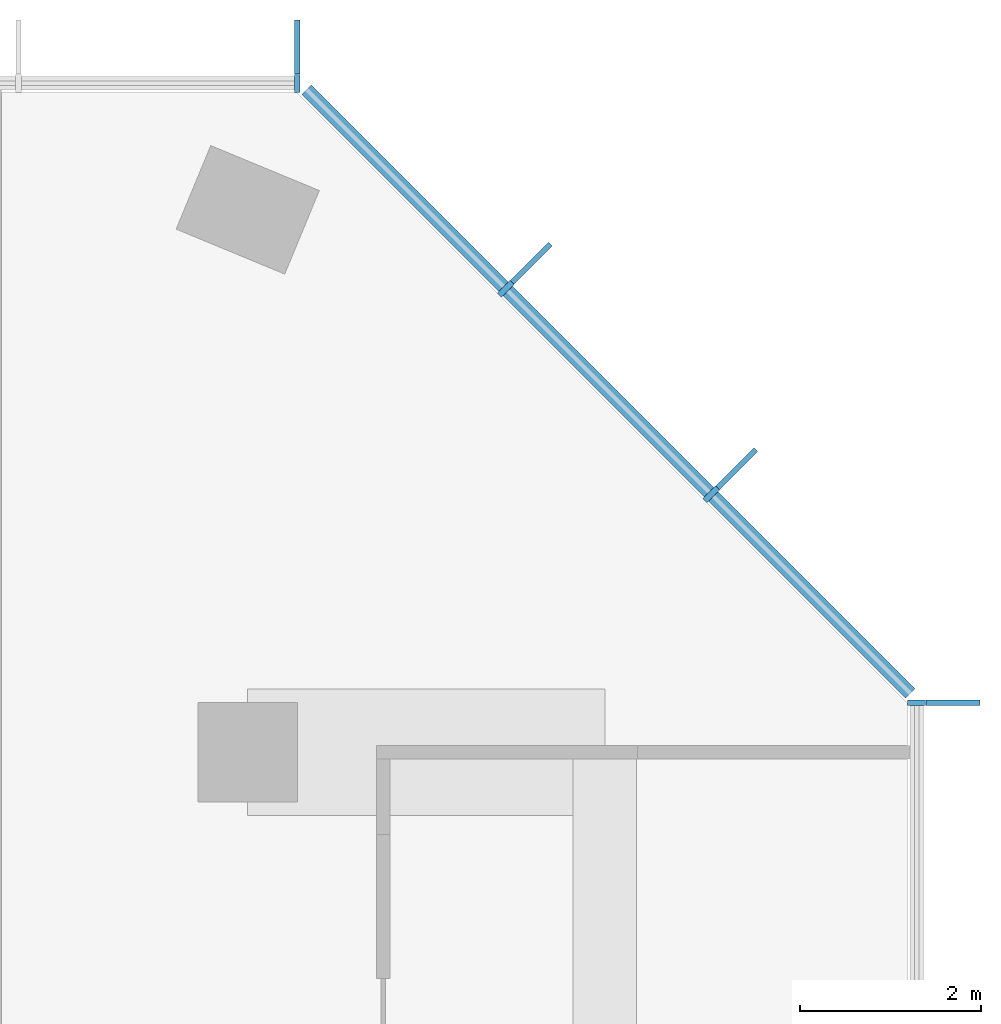
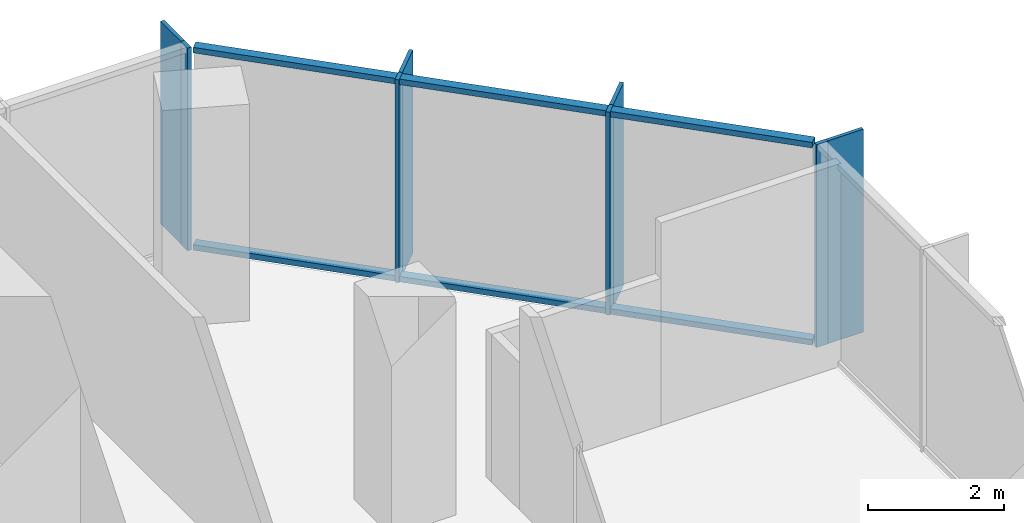
# One storey, part 6 of 11: 14 members, 3 elements without a shape of their own.
"""IFC4 building model written with IfcOpenShell, lengths in metres."""

from ifc_helpers import new_model, si_unit, direction, frame, origin, origin_2d, place, context, subcontext, project, spatial, rectangle, extrude, material, layer, layer_set, material_profile, profile_set, type_object, element, aggregate, save


model = new_model("IFC4")

# Units and contexts
model_context = context("Model", 3, precision=1e-05, world=origin(), true_north=direction((0.0, 1.0)))
body_context = subcontext(model_context, "Body", "Model", "MODEL_VIEW")
ifc_project = project(units=[si_unit("LENGTHUNIT", "METRE"), si_unit("AREAUNIT", "SQUARE_METRE"), si_unit("VOLUMEUNIT", "CUBIC_METRE"), si_unit("PLANEANGLEUNIT", "RADIAN"), si_unit("MASSUNIT", "GRAM", prefix="KILO")], contexts=[model_context])

# Site, building, storey
site_placement = place(None, origin())
site = spatial("IfcSite", under=ifc_project, at=site_placement, CompositionType="ELEMENT")
building_placement = place(site_placement, origin())
building = spatial("IfcBuilding", under=site, at=building_placement, Name="Highveld Stack Headquarters", CompositionType="ELEMENT")
storey_placement = place(building_placement, frame((0.0, 0.0, 291.800048828125)))
storey = spatial("IfcBuildingStorey", under=building, at=storey_placement, Name="L72", CompositionType="ELEMENT", Elevation=291.800048828125)

# Curtain wall, member
ifc_material_1 = material(Name="Aluminium bronze anodised", Category="aluminium")
ifc_layer = layer(ifc_material_1, 0.199951171875)
ifc_layer_set = layer_set([ifc_layer], Name="Aluminium bronze anodised")
curtain_wall_type = type_object("IfcCurtainWallType", Name="CW5 EXECUTIVE UNITISED CURTAIN WALL", PredefinedType="NOTDEFINED", material=ifc_layer_set)
curtain_wall_1_placement = place(storey_placement, origin())
curtain_wall_1 = element("IfcCurtainWall", 1, at=curtain_wall_1_placement, inside=storey, type_object=curtain_wall_type, Name="Curtain wall CW5 L72 E", PredefinedType="NOTDEFINED")
ifc_material_2 = material(Name="Aluminium bronze anodised", Category="aluminium")
ifc_material_profile_1 = material_profile(ifc_material_2, rectangle(XDim=0.60009765625, YDim=0.06005859375, at=origin_2d()), Name="FIN 600x60")
ifc_profile_set_1 = profile_set([ifc_material_profile_1], Name="Aluminium bronze anodised")
member_type_1 = type_object("IfcMemberType", Name="CW5 BRONZE FIN 600x60", PredefinedType="USERDEFINED", material=ifc_profile_set_1)
member_1_placement = place(storey_placement, frame((31.800048828125, 12.54736328125, 0.0), z_axis=(0.0, 0.0, 1.0), x_axis=(-1.0, 0.0, 0.0)))
member_1 = element("IfcMember", 2, at=member_1_placement, type_object=member_type_1, Name="CW5 fin L72 9", ObjectType="FIN", PredefinedType="USERDEFINED", context=body_context, shape_type="SweptSolid", body=[
    extrude(rectangle(XDim=0.60009765625, YDim=0.06005859375, at=origin_2d()), origin(), (0.0, 0.0, 1.0), 3.64990234375),
])

# Curtain wall, members
curtain_wall_2_placement = place(storey_placement, origin())
curtain_wall_2 = element("IfcCurtainWall", 3, at=curtain_wall_2_placement, inside=storey, type_object=curtain_wall_type, Name="Curtain wall CW5 L72 NE", PredefinedType="NOTDEFINED")
member_2_placement = place(storey_placement, frame((29.409423828125, 15.135986328125, 0.0), z_axis=(0.0, 0.0, 1.0), x_axis=(-0.707106781187, -0.707106781187, 0.0)))
member_2 = element("IfcMember", 4, at=member_2_placement, type_object=member_type_1, Name="CW5 fin L72 1", ObjectType="FIN", PredefinedType="USERDEFINED", context=body_context, shape_type="SweptSolid", body=[
    extrude(rectangle(XDim=0.60009765625, YDim=0.06005859375, at=origin_2d()), origin(), (0.0, 0.0, 1.0), 3.64990234375),
])
member_3_placement = place(storey_placement, frame((27.135986328125, 17.409423828125, 0.0), z_axis=(0.0, 0.0, 1.0), x_axis=(-0.707106781187, -0.707106781187, 0.0)))
member_3 = element("IfcMember", 5, at=member_3_placement, type_object=member_type_1, Name="CW5 fin L72 2", ObjectType="FIN", PredefinedType="USERDEFINED", context=body_context, shape_type="SweptSolid", body=[
    extrude(rectangle(XDim=0.60009765625, YDim=0.06005859375, at=origin_2d()), origin(), (0.0, 0.0, 1.0), 3.64990234375),
])

# Curtain wall, member
curtain_wall_3_placement = place(storey_placement, origin())
curtain_wall_3 = element("IfcCurtainWall", 6, at=curtain_wall_3_placement, inside=storey, type_object=curtain_wall_type, Name="Curtain wall CW5 L72 N", PredefinedType="NOTDEFINED")
member_4_placement = place(storey_placement, frame((24.54736328125, 19.800048828125, 0.0), z_axis=(0.0, 0.0, 1.0), x_axis=(0.0, -1.0, 0.0)))
member_4 = element("IfcMember", 7, at=member_4_placement, type_object=member_type_1, Name="CW5 fin L72 1", ObjectType="FIN", PredefinedType="USERDEFINED", context=body_context, shape_type="SweptSolid", body=[
    extrude(rectangle(XDim=0.60009765625, YDim=0.06005859375, at=origin_2d()), origin(), (0.0, 0.0, 1.0), 3.64990234375),
])

# Member
ifc_material_3 = material(Name="Aluminium bronze anodised", Category="aluminium")
ifc_material_profile_2 = material_profile(ifc_material_3, rectangle(XDim=0.199951171875, YDim=0.06494140625, at=origin_2d()), Name="CW5 MULLION 65x200")
ifc_profile_set_2 = profile_set([ifc_material_profile_2], Name="Aluminium bronze anodised")
member_type_2 = type_object("IfcMemberType", Name="CW5 MULLION 65x200", PredefinedType="MULLION", material=ifc_profile_set_2)
member_5_placement = place(storey_placement, frame((31.39990234375, 12.54736328125, 0.0), z_axis=(0.0, 0.0, 1.0), x_axis=(-1.0, 0.0, 0.0)))
member_5 = element("IfcMember", 8, at=member_5_placement, type_object=member_type_2, Name="CW5 mullion L72 9", PredefinedType="MULLION", context=body_context, shape_type="SweptSolid", body=[
    extrude(rectangle(XDim=0.199951171875, YDim=0.06494140625, at=origin_2d()), origin(), (0.0, 0.0, 1.0), 3.64990234375),
])

aggregate(curtain_wall_1, [member_5, member_1])

member_6_placement = place(storey_placement, frame((29.126708984375, 14.853271484375, 0.0), z_axis=(0.0, 0.0, 1.0), x_axis=(-0.707106781187, -0.707106781187, 0.0)))
member_6 = element("IfcMember", 9, at=member_6_placement, type_object=member_type_2, Name="CW5 mullion L72 1", PredefinedType="MULLION", context=body_context, shape_type="SweptSolid", body=[
    extrude(rectangle(XDim=0.199951171875, YDim=0.06494140625, at=origin_2d()), origin(), (0.0, 0.0, 1.0), 3.64990234375),
])

member_7_placement = place(storey_placement, frame((26.853271484375, 17.126708984375, 0.0), z_axis=(0.0, 0.0, 1.0), x_axis=(-0.707106781187, -0.707106781187, 0.0)))
member_7 = element("IfcMember", 10, at=member_7_placement, type_object=member_type_2, Name="CW5 mullion L72 2", PredefinedType="MULLION", context=body_context, shape_type="SweptSolid", body=[
    extrude(rectangle(XDim=0.199951171875, YDim=0.06494140625, at=origin_2d()), origin(), (0.0, 0.0, 1.0), 3.64990234375),
])

member_8_placement = place(storey_placement, frame((24.54736328125, 19.39990234375, 0.0), z_axis=(0.0, 0.0, 1.0), x_axis=(0.0, -1.0, 0.0)))
member_8 = element("IfcMember", 11, at=member_8_placement, type_object=member_type_2, Name="CW5 mullion L72 1", PredefinedType="MULLION", context=body_context, shape_type="SweptSolid", body=[
    extrude(rectangle(XDim=0.199951171875, YDim=0.06494140625, at=origin_2d()), origin(), (0.0, 0.0, 1.0), 3.64990234375),
])

aggregate(curtain_wall_3, [member_8, member_4])

ifc_material_4 = material(Name="Aluminium bronze anodised", Category="aluminium")
ifc_material_profile_3 = material_profile(ifc_material_4, rectangle(XDim=0.14990234375, YDim=0.10009765625, at=origin_2d()), Name="CW5 TRANSOM 150x100")
ifc_profile_set_3 = profile_set([ifc_material_profile_3], Name="Aluminium bronze anodised")
member_type_3 = type_object("IfcMemberType", Name="CW5 STACK TRANSOM 150x100", PredefinedType="USERDEFINED", material=ifc_profile_set_3)
member_9_placement = place(storey_placement, frame((31.329345703125, 12.650634765625, 0.050048828125), z_axis=(-0.707106781187, 0.707106781187, 0.0), x_axis=(-0.707106781187, -0.707106781187, 0.0)))
member_9 = element("IfcMember", 12, at=member_9_placement, type_object=member_type_3, Name="CW5 transom L72 1.1", ObjectType="TRANSOM", PredefinedType="USERDEFINED", context=body_context, shape_type="SweptSolid", body=[
    extrude(rectangle(XDim=0.14990234375, YDim=0.10009765625, at=origin_2d()), origin(), (0.0, 0.0, 1.0), 3.08251953125),
])

member_10_placement = place(storey_placement, frame((31.329345703125, 12.650634765625, 3.599853515625), z_axis=(-0.707106781187, 0.707106781187, 0.0), x_axis=(-0.707106781187, -0.707106781187, 0.0)))
member_10 = element("IfcMember", 13, at=member_10_placement, type_object=member_type_3, Name="CW5 transom L72 1.2", ObjectType="TRANSOM", PredefinedType="USERDEFINED", context=body_context, shape_type="SweptSolid", body=[
    extrude(rectangle(XDim=0.14990234375, YDim=0.10009765625, at=origin_2d()), origin(), (0.0, 0.0, 1.0), 3.08251953125),
])

member_11_placement = place(storey_placement, frame((29.103759765625, 14.876220703125, 0.050048828125), z_axis=(-0.707106781187, 0.707106781187, 0.0), x_axis=(-0.707106781187, -0.707106781187, 0.0)))
member_11 = element("IfcMember", 14, at=member_11_placement, type_object=member_type_3, Name="CW5 transom L72 2.1", ObjectType="TRANSOM", PredefinedType="USERDEFINED", context=body_context, shape_type="SweptSolid", body=[
    extrude(rectangle(XDim=0.14990234375, YDim=0.10009765625, at=origin_2d()), origin(), (0.0, 0.0, 1.0), 3.150146484375),
])

member_12_placement = place(storey_placement, frame((29.103759765625, 14.876220703125, 3.599853515625), z_axis=(-0.707106781187, 0.707106781187, 0.0), x_axis=(-0.707106781187, -0.707106781187, 0.0)))
member_12 = element("IfcMember", 15, at=member_12_placement, type_object=member_type_3, Name="CW5 transom L72 2.2", ObjectType="TRANSOM", PredefinedType="USERDEFINED", context=body_context, shape_type="SweptSolid", body=[
    extrude(rectangle(XDim=0.14990234375, YDim=0.10009765625, at=origin_2d()), origin(), (0.0, 0.0, 1.0), 3.150146484375),
])

member_13_placement = place(storey_placement, frame((26.830322265625, 17.149658203125, 0.050048828125), z_axis=(-0.707106781187, 0.707106781187, 0.0), x_axis=(-0.707106781187, -0.707106781187, 0.0)))
member_13 = element("IfcMember", 16, at=member_13_placement, type_object=member_type_3, Name="CW5 transom L72 3.1", ObjectType="TRANSOM", PredefinedType="USERDEFINED", context=body_context, shape_type="SweptSolid", body=[
    extrude(rectangle(XDim=0.14990234375, YDim=0.10009765625, at=origin_2d()), origin(), (0.0, 0.0, 1.0), 3.08251953125),
])

member_14_placement = place(storey_placement, frame((26.830322265625, 17.149658203125, 3.599853515625), z_axis=(-0.707106781187, 0.707106781187, 0.0), x_axis=(-0.707106781187, -0.707106781187, 0.0)))
member_14 = element("IfcMember", 17, at=member_14_placement, type_object=member_type_3, Name="CW5 transom L72 3.2", ObjectType="TRANSOM", PredefinedType="USERDEFINED", context=body_context, shape_type="SweptSolid", body=[
    extrude(rectangle(XDim=0.14990234375, YDim=0.10009765625, at=origin_2d()), origin(), (0.0, 0.0, 1.0), 3.08251953125),
])

aggregate(curtain_wall_2, [member_6, member_2, member_7, member_3, member_9, member_10, member_11, member_12, member_13, member_14])

save(model, "model.ifc")
